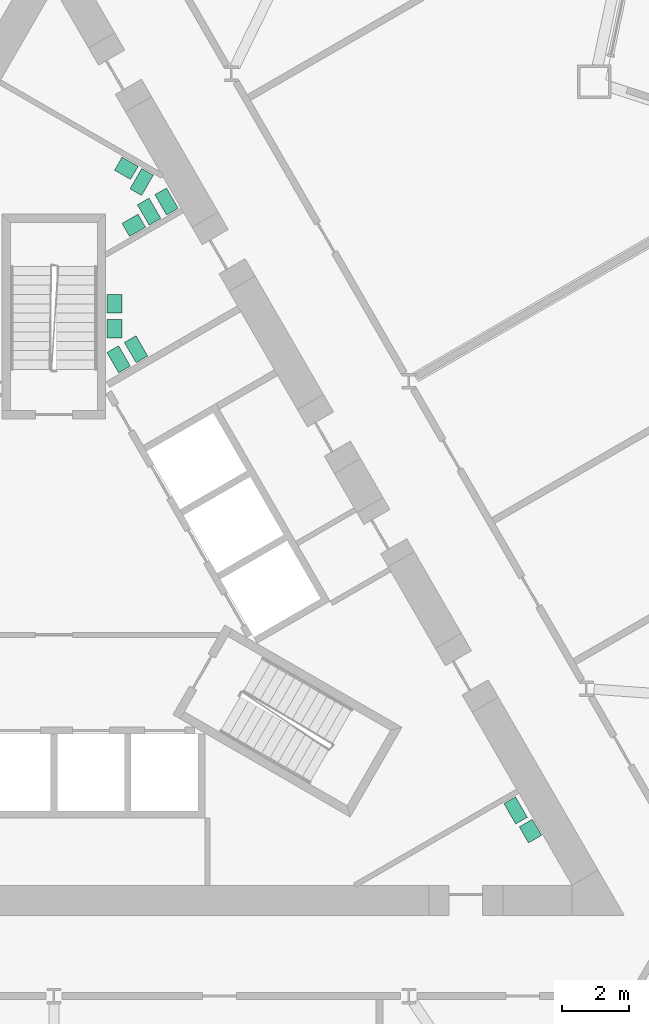
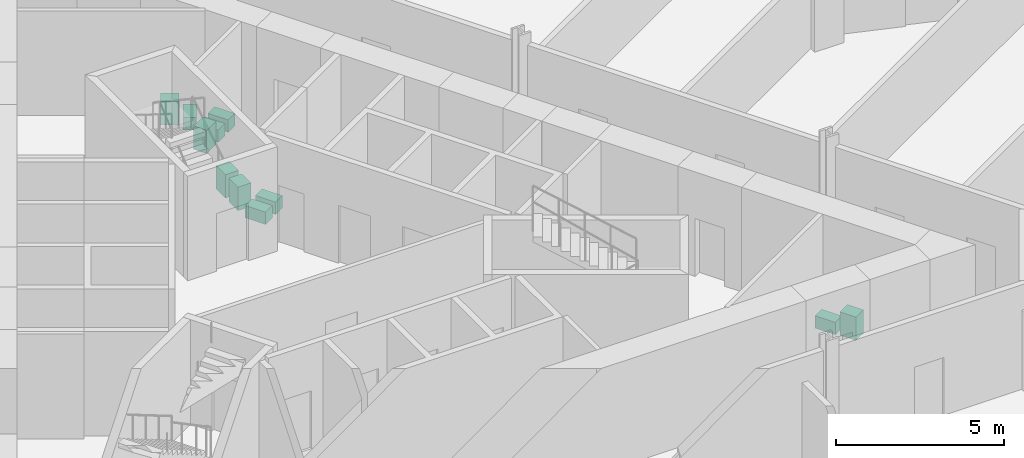
# One storey, part 20 of 21: 11 sanitary terminals.
"""IFC4 building model written with IfcOpenShell, lengths in metres."""

from ifc_helpers import new_model, si_unit, direction, frame, origin, origin_2d, place, context, subcontext, project, spatial, rectangle, extrude, material, type_object, element, save


model = new_model("IFC4")

# Units and contexts
model_context = context("Model", 3, precision=1e-05, world=origin(), true_north=direction((0.0, 1.0)))
body_context = subcontext(model_context, "Body", "Model", "MODEL_VIEW")
ifc_project = project(units=[si_unit("LENGTHUNIT", "METRE"), si_unit("AREAUNIT", "SQUARE_METRE"), si_unit("VOLUMEUNIT", "CUBIC_METRE"), si_unit("PLANEANGLEUNIT", "RADIAN"), si_unit("MASSUNIT", "GRAM", prefix="KILO")], contexts=[model_context])

# Site, building, storey
site_placement = place(None, origin())
site = spatial("IfcSite", under=ifc_project, at=site_placement, CompositionType="ELEMENT")
building_placement = place(site_placement, origin())
building = spatial("IfcBuilding", under=site, at=building_placement, Name="Cormorant Prow Tower", CompositionType="ELEMENT")
storey_placement = place(building_placement, frame((0.0, 0.0, 42.60009765625)))
storey = spatial("IfcBuildingStorey", under=building, at=storey_placement, Name="L08", CompositionType="ELEMENT", Elevation=42.60009765625)

# Sanitary terminals
ifc_material_1 = material(Name="Vitreous china")
sanitary_terminal_type_1 = type_object("IfcSanitaryTerminalType", Name="Wash basin 550x450", PredefinedType="WASHHANDBASIN", material=ifc_material_1)
for number, where, z_axis, x_axis, name in (
    (1, (2.380859375, 10.75341796875, -0.000244140625), (0.0, 0.0, 1.0), (0.866025403784, 0.5, 0.0), "Wash basin"),
    (2, (2.157958984375, 12.453125, -0.000244140625), (0.0, 0.0, 1.0), (-0.866025403784, 0.5, 0.0), "Wash basin"),
    (3, (1.80908203125, 7.66796875, -0.000244140625), (0.0, 0.0, 1.0), (0.0, -1.0, 0.0), "Wash basin"),
    (4, (1.80908203125, 8.41796875, -0.000244140625), (0.0, 0.0, 1.0), (0.0, -1.0, 0.0), "Wash basin"),
    (5, (14.2021484375, -7.298828125, -0.000244140625), (0.0, 0.0, 1.0), (-0.5, 0.866025403784, 0.0), "Wash basin"),
):
    element("IfcSanitaryTerminal", number, at=place(storey_placement, frame(where, z_axis=z_axis, x_axis=x_axis)), inside=storey, type_object=sanitary_terminal_type_1, Name=name, PredefinedType="WASHHANDBASIN", context=body_context, shape_type="SweptSolid", body=[
        extrude(rectangle(XDim=0.550048828125, YDim=0.449951171875, at=origin_2d()), origin(), (0.0, 0.0, 1.0), 0.85009765625),
    ])
ifc_material_2 = material(Name="Vitreous china")
sanitary_terminal_type_2 = type_object("IfcSanitaryTerminalType", Name="Water closet 400x700", PredefinedType="WCSEAT", material=ifc_material_2)
for number, where, z_axis, x_axis, name in (
    (6, (3.357666015625, 11.461669921875, 0.0), (0.0, 0.0, 1.0), (0.866025403784, 0.5, 0.0), "Water closet"),
    (7, (2.837890625, 11.16162109375, 0.0), (0.0, 0.0, 1.0), (0.866025403784, 0.5, 0.0), "Water closet"),
    (8, (2.614990234375, 12.044921875, 0.0), (0.0, 0.0, 1.0), (-0.866025403784, 0.5, 0.0), "Water closet"),
    (9, (1.9287109375, 6.760009765625, 0.0), (0.0, 0.0, 1.0), (0.866025403784, 0.5, 0.0), "Water closet"),
    (10, (2.4482421875, 7.06005859375, 0.0), (0.0, 0.0, 1.0), (0.866025403784, 0.5, 0.0), "Water closet"),
    (11, (13.760498046875, -6.68408203125, 0.0), (0.0, 0.0, 1.0), (-0.866025403784, -0.5, 0.0), "Water closet"),
):
    element("IfcSanitaryTerminal", number, at=place(storey_placement, frame(where, z_axis=z_axis, x_axis=x_axis)), inside=storey, type_object=sanitary_terminal_type_2, Name=name, PredefinedType="WCSEAT", context=body_context, shape_type="SweptSolid", body=[
        extrude(rectangle(XDim=0.39990234375, YDim=0.699951171875, at=origin_2d()), origin(), (0.0, 0.0, 1.0), 0.449951171875),
    ])

save(model, "model.ifc")
